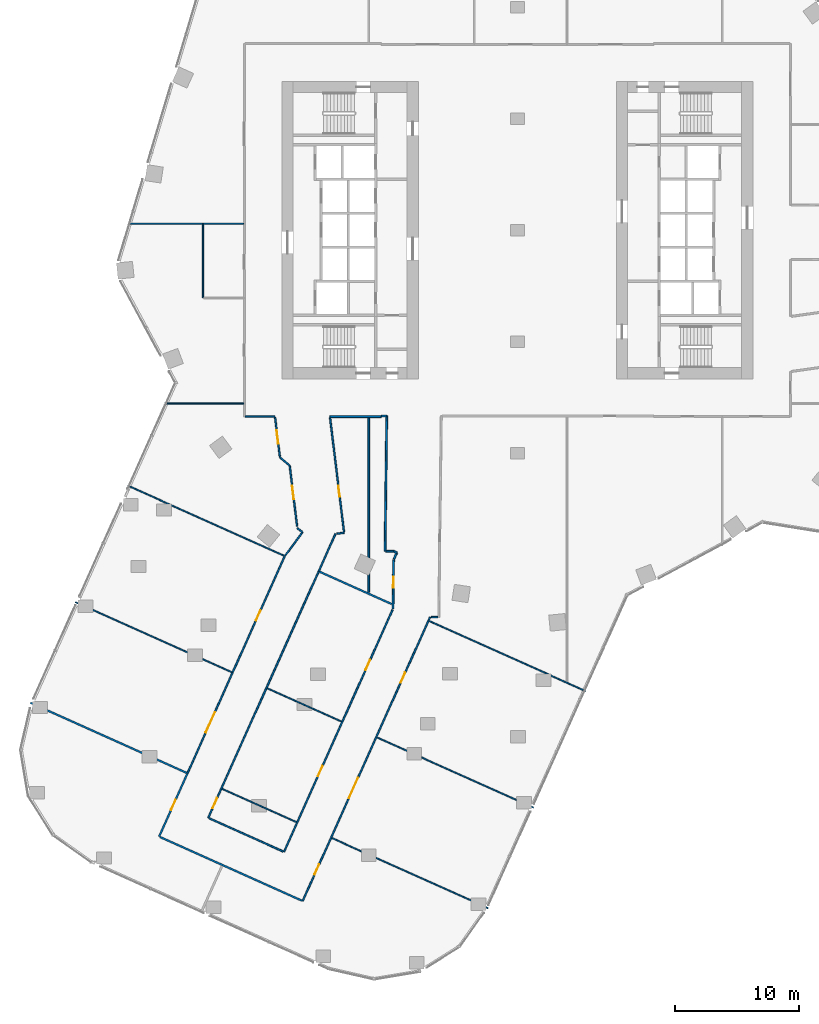
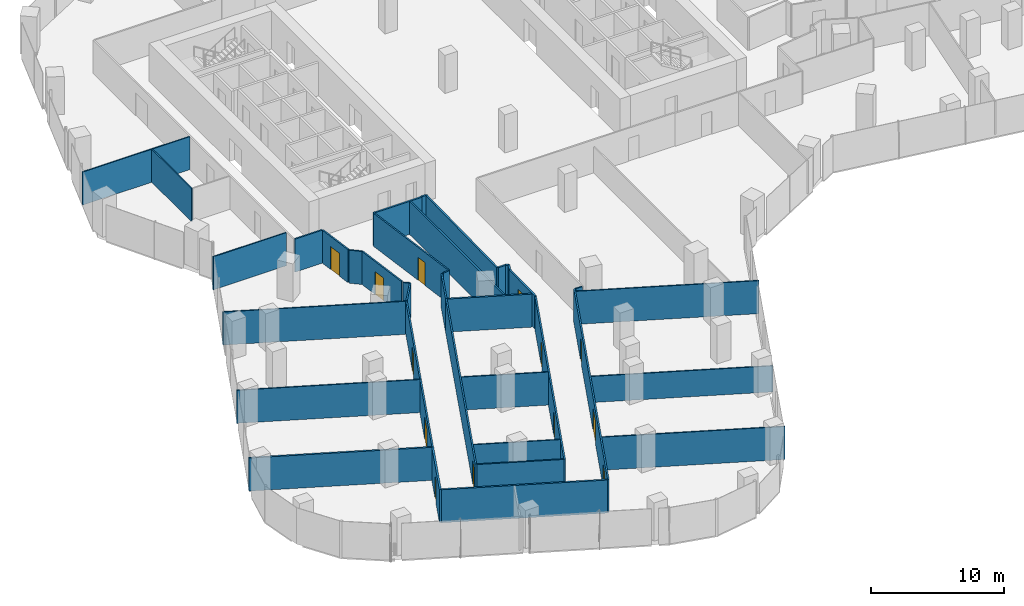
# One storey, part 25 of 34: 38 walls, 13 doors, 13 openings.
"""IFC4 building model written with IfcOpenShell, lengths in metres."""

from ifc_helpers import new_model, si_unit, direction, frame, frame_2d, origin, place, context, subcontext, project, spatial, rectangle, extrude, material, layer, layer_set, type_object, element, fill, save


model = new_model("IFC4")

# Units and contexts
model_context = context("Model", 3, precision=1e-05, world=origin(), true_north=direction((0.0, 1.0)))
body_context = subcontext(model_context, "Body", "Model", "MODEL_VIEW")
ifc_project = project(units=[si_unit("LENGTHUNIT", "METRE"), si_unit("AREAUNIT", "SQUARE_METRE"), si_unit("VOLUMEUNIT", "CUBIC_METRE"), si_unit("PLANEANGLEUNIT", "RADIAN"), si_unit("MASSUNIT", "GRAM", prefix="KILO")], contexts=[model_context])

# Site, building, storey
site_placement = place(None, origin())
site = spatial("IfcSite", under=ifc_project, at=site_placement, CompositionType="ELEMENT")
building_placement = place(site_placement, origin())
building = spatial("IfcBuilding", under=site, at=building_placement, Name="Orlundy Tower", CompositionType="ELEMENT")
storey_placement = place(building_placement, frame((0.0, 0.0, 137.699951171875)))
storey = spatial("IfcBuildingStorey", under=building, at=storey_placement, Name="L35", CompositionType="ELEMENT", Elevation=137.699951171875)

# Walls
ifc_material_1 = material(Name="Gypsum board partition")
ifc_layer_1 = layer(ifc_material_1, 0.10009765625)
ifc_layer_set_1 = layer_set([ifc_layer_1], Name="Floor partition 100")
wall_type_1 = type_object("IfcWallType", Name="Floor partition 100", PredefinedType="PARTITIONING", material=ifc_layer_set_1)
wall_1_placement = place(storey_placement, frame((-23.840087890625, -45.092041015625, 0.0), z_axis=(0.0, 0.0, 1.0), x_axis=(0.912407050909, -0.409283976539, 0.0)))
element("IfcWall", 1, at=wall_1_placement, inside=storey, type_object=wall_type_1, Name="wall-int-L35-014", PredefinedType="PARTITIONING", context=body_context, shape_type="SweptSolid", body=[
    extrude(rectangle(XDim=6.5771484375, YDim=0.10009765625, at=frame_2d((3.28857421875, 0.0))), origin(), (0.0, 0.0, 1.0), 3.030029296875),
])
wall_2_placement = place(storey_placement, frame((-14.987060546875, -49.06494140625, 0.0), z_axis=(0.0, 0.0, 1.0), x_axis=(0.912373916734, -0.409357833763, 0.0)))
element("IfcWall", 2, at=wall_2_placement, inside=storey, type_object=wall_type_1, Name="wall-int-L35-015", PredefinedType="PARTITIONING", context=body_context, shape_type="SweptSolid", body=[
    extrude(rectangle(XDim=13.83642578125, YDim=0.10009765625, at=frame_2d((6.918212890625, 0.0))), origin(), (0.0, 0.0, 1.0), 3.030029296875),
])
wall_3_placement = place(storey_placement, frame((-35.669921875, -30.029052734375, 0.0), z_axis=(0.0, 0.0, 1.0), x_axis=(0.912388382828, -0.409325590307, 0.0)))
element("IfcWall", 3, at=wall_3_placement, inside=storey, type_object=wall_type_1, Name="wall-int-L35-016", PredefinedType="PARTITIONING", context=body_context, shape_type="SweptSolid", body=[
    extrude(rectangle(XDim=13.827392578125, YDim=0.10009765625, at=frame_2d((6.91357421875, 0.0))), origin(), (0.0, 0.0, 1.0), 3.030029296875),
])
wall_4_placement = place(storey_placement, frame((-20.201904296875, -36.969970703125, 0.0), z_axis=(0.0, 0.0, 1.0), x_axis=(0.912431503612, -0.409229460346, 0.0)))
element("IfcWall", 4, at=wall_4_placement, inside=storey, type_object=wall_type_1, Name="wall-int-L35-017", PredefinedType="PARTITIONING", context=body_context, shape_type="SweptSolid", body=[
    extrude(rectangle(XDim=6.583251953125, YDim=0.10009765625, at=frame_2d((3.29150390625, 0.0))), origin(), (0.0, 0.0, 1.0), 3.030029296875),
])
wall_5_placement = place(storey_placement, frame((-31.449951171875, -20.625, 0.0), z_axis=(0.0, 0.0, 1.0), x_axis=(0.91235405171, -0.409402105916, 0.0)))
element("IfcWall", 5, at=wall_5_placement, inside=storey, type_object=wall_type_1, Name="wall-int-L35-019", PredefinedType="PARTITIONING", context=body_context, shape_type="SweptSolid", body=[
    extrude(rectangle(XDim=13.80810546875, YDim=0.10009765625, at=frame_2d((6.904052734375, 0.0))), origin(), (0.0, 0.0, 1.0), 3.030029296875),
])
wall_6_placement = place(storey_placement, frame((-7.1240234375, -31.541015625, 0.0), z_axis=(0.0, 0.0, 1.0), x_axis=(0.91234755526, -0.409416582971, 0.0)))
element("IfcWall", 6, at=wall_6_placement, inside=storey, type_object=wall_type_1, Name="wall-int-L35-021", PredefinedType="PARTITIONING", context=body_context, shape_type="SweptSolid", body=[
    extrude(rectangle(XDim=13.8369140625, YDim=0.10009765625, at=frame_2d((6.91845703125, 0.0))), origin(), (0.0, 0.0, 1.0), 3.030029296875),
])
wall_7_placement = place(storey_placement, frame((-28.47705078125, -14.0, 0.0), z_axis=(0.0, 0.0, 1.0), x_axis=(1.0, 0.0, 0.0)))
element("IfcWall", 7, at=wall_7_placement, inside=storey, type_object=wall_type_1, Name="wall-int-L35-035", PredefinedType="PARTITIONING", context=body_context, shape_type="SweptSolid", body=[
    extrude(rectangle(XDim=6.364013671875, YDim=0.10009765625, at=frame_2d((3.18212890625, 0.0))), origin(), (0.0, 0.0, 1.0), 3.030029296875),
])
wall_8_placement = place(storey_placement, frame((-31.419921875, 0.52392578125, 0.0), z_axis=(0.0, 0.0, 1.0), x_axis=(1.0, 0.0, 0.0)))
element("IfcWall", 8, at=wall_8_placement, inside=storey, type_object=wall_type_1, Name="wall-int-L35-038", PredefinedType="PARTITIONING", context=body_context, shape_type="SweptSolid", body=[
    extrude(rectangle(XDim=9.306884765625, YDim=0.10009765625, at=frame_2d((4.6533203125, 0.0))), origin(), (0.0, 0.0, 1.0), 3.030029296875),
])
wall_9_placement = place(storey_placement, frame((-25.382080078125, -5.47509765625, 0.0), z_axis=(0.0, 0.0, 1.0), x_axis=(0.0, 1.0, 0.0)))
element("IfcWall", 9, at=wall_9_placement, inside=storey, type_object=wall_type_1, Name="wall-int-L35-087", PredefinedType="PARTITIONING", context=body_context, shape_type="SweptSolid", body=[
    extrude(rectangle(XDim=5.94921875, YDim=0.10009765625, at=frame_2d((2.974609375, 0.0))), origin(), (0.0, 0.0, 1.0), 3.030029296875),
])
ifc_material_2 = material(Name="Gypsum board partition")
ifc_layer_2 = layer(ifc_material_2, 0.10009765625)
ifc_layer_set_2 = layer_set([ifc_layer_2], Name="Floor partition 100 B")
wall_type_2 = type_object("IfcWallType", Name="Floor partition 100 B", PredefinedType="PARTITIONING", material=ifc_layer_set_2)
wall_10_placement = place(storey_placement, frame((-11.343994140625, -40.945068359375, 0.0), z_axis=(0.0, 0.0, 1.0), x_axis=(0.912392332027, -0.409316787413, 0.0)))
element("IfcWall", 10, at=wall_10_placement, inside=storey, type_object=wall_type_2, Name="wall-int-L35-018", PredefinedType="PARTITIONING", context=body_context, shape_type="SweptSolid", body=[
    extrude(rectangle(XDim=13.837158203125, YDim=0.10009765625, at=frame_2d((6.91845703125, 0.0))), origin(), (0.0, 0.0, 1.0), 2.39501953125),
])

# Wall, opening, door
ifc_material_3 = material(Name="Gypsum board partition, double layer")
ifc_layer_3 = layer(ifc_material_3, 0.125)
ifc_layer_set_3 = layer_set([ifc_layer_3], Name="Floor partition 125")
wall_type_3 = type_object("IfcWallType", Name="Floor partition 125", PredefinedType="PARTITIONING", material=ifc_layer_set_3)
wall_11_placement = place(storey_placement, frame((-19.179931640625, -18.27197265625, 0.0), z_axis=(0.0, 0.0, 1.0), x_axis=(-0.120984312483, 0.992654419289, 0.0)))
wall_11 = element("IfcWall", 11, at=wall_11_placement, inside=storey, type_object=wall_type_3, Name="wall-int-L35-003", PredefinedType="PARTITIONING", context=body_context, shape_type="SweptSolid", body=[
    extrude(rectangle(XDim=3.182373046875, YDim=0.125, at=frame_2d((1.59130859375, 0.0))), origin(), (0.0, 0.0, 1.0), 3.030029296875),
])
opening_1_placement = place(wall_11_placement, frame((1.03759765625, 0.0, 0.0)))
opening_1 = element("IfcOpeningElement", 12, at=opening_1_placement, cuts=wall_11, Name="Opening 26118", PredefinedType="OPENING", context=body_context, shape_type="SweptSolid", body=[
    extrude(rectangle(XDim=1.10009765625, YDim=2.10009765625, at=frame_2d((0.550048828125, 1.050048828125))), frame((0.0, 0.072509765625, 0.0), z_axis=(0.0, -1.0, 0.0), x_axis=(1.0, 0.0, 0.0)), (0.0, 0.0, 1.0), 0.14501953125),
])
ifc_material_4 = material(Name="Timber door leaf", Category="wood")
door_type_1 = type_object("IfcDoorType", Name="Floor door xwide 1100 FD30S", OperationType="NOTDEFINED", PredefinedType="DOOR", material=ifc_material_4)
door_1_placement = place(opening_1_placement, origin())
door_1 = element("IfcDoor", 13, at=door_1_placement, inside=storey, type_object=door_type_1, Name="Door 26118", OperationType="SINGLE_SWING_LEFT", OverallHeight=2.10009765625, OverallWidth=1.10009765625, PredefinedType="DOOR", context=body_context, shape_type="SweptSolid", body=[
    extrude(rectangle(XDim=1.10009765625, YDim=2.10009765625, at=frame_2d((0.550048828125, 1.050048828125))), frame((0.0, 0.02490234375, 0.0), z_axis=(0.0, -1.0, 0.0), x_axis=(1.0, 0.0, 0.0)), (0.0, 0.0, 1.0), 0.050048828125),
])
fill(opening_1, door_1)

wall_12_placement = place(storey_placement, frame((-17.7880859375, -23.89111328125, 0.0), z_axis=(0.0, 0.0, 1.0), x_axis=(-0.121262962016, 0.992620417906, 0.0)))
wall_12 = element("IfcWall", 14, at=wall_12_placement, inside=storey, type_object=wall_type_3, Name="wall-int-L35-004", PredefinedType="PARTITIONING", context=body_context, shape_type="SweptSolid", body=[
    extrude(rectangle(XDim=4.922607421875, YDim=0.125, at=frame_2d((2.46142578125, 0.0))), origin(), (0.0, 0.0, 1.0), 3.030029296875),
])
opening_2_placement = place(wall_12_placement, frame((2.194580078125, 0.0, 0.0)))
opening_2 = element("IfcOpeningElement", 15, at=opening_2_placement, cuts=wall_12, Name="Opening 26119", PredefinedType="OPENING", context=body_context, shape_type="SweptSolid", body=[
    extrude(rectangle(XDim=1.10009765625, YDim=2.10009765625, at=frame_2d((0.550048828125, 1.050048828125))), frame((0.0, 0.072509765625, 0.0), z_axis=(0.0, -1.0, 0.0), x_axis=(1.0, 0.0, 0.0)), (0.0, 0.0, 1.0), 0.14501953125),
])
door_2_placement = place(opening_2_placement, origin())
door_2 = element("IfcDoor", 16, at=door_2_placement, inside=storey, type_object=door_type_1, Name="Door 26119", OperationType="SINGLE_SWING_RIGHT", OverallHeight=2.10009765625, OverallWidth=1.10009765625, PredefinedType="DOOR", context=body_context, shape_type="SweptSolid", body=[
    extrude(rectangle(XDim=1.10009765625, YDim=2.10009765625, at=frame_2d((0.550048828125, 1.050048828125))), frame((0.0, 0.02490234375, 0.0), z_axis=(0.0, -1.0, 0.0), x_axis=(1.0, 0.0, 0.0)), (0.0, 0.0, 1.0), 0.050048828125),
])
fill(opening_2, door_2)

wall_13_placement = place(storey_placement, frame((-15.1298828125, -15.125, 0.0), z_axis=(0.0, 0.0, 1.0), x_axis=(0.121299614281, -0.992615939614, 0.0)))
wall_13 = element("IfcWall", 17, at=wall_13_placement, inside=storey, type_object=wall_type_3, Name="wall-int-L35-005", PredefinedType="PARTITIONING", context=body_context, shape_type="SweptSolid", body=[
    extrude(rectangle(XDim=9.306640625, YDim=0.125, at=frame_2d((4.6533203125, 0.0))), origin(), (0.0, 0.0, 1.0), 3.030029296875),
])
opening_3_placement = place(wall_13_placement, frame((5.54443359375, 0.0, 0.0)))
opening_3 = element("IfcOpeningElement", 18, at=opening_3_placement, cuts=wall_13, Name="Opening 26120", PredefinedType="OPENING", context=body_context, shape_type="SweptSolid", body=[
    extrude(rectangle(XDim=0.89990234375, YDim=2.10009765625, at=frame_2d((0.449951171875, 1.050048828125))), frame((0.0, 0.072509765625, 0.0), z_axis=(0.0, -1.0, 0.0), x_axis=(1.0, 0.0, 0.0)), (0.0, 0.0, 1.0), 0.14501953125),
])
ifc_material_5 = material(Name="Timber door leaf", Category="wood")
door_type_2 = type_object("IfcDoorType", Name="Floor door single 900 FD30S", OperationType="NOTDEFINED", PredefinedType="DOOR", material=ifc_material_5)
door_3_placement = place(opening_3_placement, origin())
door_3 = element("IfcDoor", 19, at=door_3_placement, inside=storey, type_object=door_type_2, Name="Door 26120", OperationType="SINGLE_SWING_RIGHT", OverallHeight=2.10009765625, OverallWidth=0.89990234375, PredefinedType="DOOR", context=body_context, shape_type="SweptSolid", body=[
    extrude(rectangle(XDim=0.89990234375, YDim=2.10009765625, at=frame_2d((0.449951171875, 1.050048828125))), frame((0.0, 0.02490234375, 0.0), z_axis=(0.0, -1.0, 0.0), x_axis=(1.0, 0.0, 0.0)), (0.0, 0.0, 1.0), 0.050048828125),
])
fill(opening_3, door_3)

# Walls
wall_14_placement = place(storey_placement, frame((-17.77197265625, -24.052001953125, 0.0), z_axis=(0.0, 0.0, 1.0), x_axis=(0.774946890669, -0.632026357554, 0.0)))
element("IfcWall", 20, at=wall_14_placement, inside=storey, type_object=wall_type_3, Name="wall-int-L35-008", PredefinedType="PARTITIONING", context=body_context, shape_type="SweptSolid", body=[
    extrude(rectangle(XDim=0.5380859375, YDim=0.125, at=frame_2d((0.26904296875, 0.0))), origin(), (0.0, 0.0, 1.0), 3.030029296875),
])
wall_15_placement = place(storey_placement, frame((-24.903076171875, -47.465087890625, 0.0), z_axis=(0.0, 0.0, 1.0), x_axis=(0.912437629311, -0.409215802013, 0.0)))
element("IfcWall", 21, at=wall_15_placement, inside=storey, type_object=wall_type_3, Name="wall-int-L35-012", PredefinedType="PARTITIONING", context=body_context, shape_type="SweptSolid", body=[
    extrude(rectangle(XDim=6.57568359375, YDim=0.125, at=frame_2d((3.287841796875, 0.0))), origin(), (0.0, 0.0, 1.0), 3.030029296875),
])
wall_16_placement = place(storey_placement, frame((-6.958984375, -31.23291015625, 0.0), z_axis=(0.0, 0.0, 1.0), x_axis=(0.999914995669, -0.013038459926, 0.0)))
element("IfcWall", 22, at=wall_16_placement, inside=storey, type_object=wall_type_3, Name="wall-int-L35-029", PredefinedType="PARTITIONING", context=body_context, shape_type="SweptSolid", body=[
    extrude(rectangle(XDim=0.54296875, YDim=0.125, at=frame_2d((0.271484375, 0.0))), origin(), (0.0, 0.0, 1.0), 3.030029296875),
])
wall_17_placement = place(storey_placement, frame((-21.988037109375, -15.051025390625, 0.0), z_axis=(0.0, 0.0, 1.0), x_axis=(1.0, 0.0, 0.0)))
element("IfcWall", 23, at=wall_17_placement, inside=storey, type_object=wall_type_3, Name="wall-int-L35-031", PredefinedType="PARTITIONING", context=body_context, shape_type="SweptSolid", body=[
    extrude(rectangle(XDim=2.4150390625, YDim=0.125, at=frame_2d((1.20751953125, 0.0))), origin(), (0.0, 0.0, 1.0), 3.030029296875),
])
wall_18_placement = place(storey_placement, frame((-14.5791015625, -24.4970703125, 0.0), z_axis=(0.0, 0.0, 1.0), x_axis=(0.992511783221, 0.122148926179, 0.0)))
element("IfcWall", 24, at=wall_18_placement, inside=storey, type_object=wall_type_3, Name="wall-int-L35-047", PredefinedType="PARTITIONING", context=body_context, shape_type="SweptSolid", body=[
    extrude(rectangle(XDim=0.589599609375, YDim=0.125, at=frame_2d((0.294921875, 0.0))), origin(), (0.0, 0.0, 1.0), 3.030029296875),
])
wall_19_placement = place(storey_placement, frame((-19.1708984375, -18.333984375, 0.0), z_axis=(0.0, 0.0, 1.0), x_axis=(0.760555965164, -0.649272380326, 0.0)))
element("IfcWall", 25, at=wall_19_placement, inside=storey, type_object=wall_type_3, Name="wall-int-L35-048", PredefinedType="PARTITIONING", context=body_context, shape_type="SweptSolid", body=[
    extrude(rectangle(XDim=1.033203125, YDim=0.125, at=frame_2d((0.5166015625, 0.0))), origin(), (0.0, 0.0, 1.0), 3.030029296875),
])
wall_20_placement = place(storey_placement, frame((-17.35498046875, -24.39208984375, 0.0), z_axis=(0.0, 0.0, 1.0), x_axis=(-0.597497187646, -0.801871006306, 0.0)))
element("IfcWall", 26, at=wall_20_placement, inside=storey, type_object=wall_type_3, Name="wall-int-L35-051", PredefinedType="PARTITIONING", context=body_context, shape_type="SweptSolid", body=[
    extrude(rectangle(XDim=2.328125, YDim=0.125, at=frame_2d((1.1640625, 0.0))), origin(), (0.0, 0.0, 1.0), 3.030029296875),
])

# Wall, openings, doors
wall_21_placement = place(storey_placement, frame((-7.052001953125, -31.23291015625, 0.0), z_axis=(0.0, 0.0, 1.0), x_axis=(-0.409475332718, -0.912321188998, 0.0)))
wall_21 = element("IfcWall", 27, at=wall_21_placement, inside=storey, type_object=wall_type_3, Name="wall-int-L35-054", PredefinedType="PARTITIONING", context=body_context, shape_type="SweptSolid", body=[
    extrude(rectangle(XDim=25.1171875, YDim=0.125, at=frame_2d((12.55859375, 0.0))), origin(), (0.0, 0.0, 1.0), 3.030029296875),
])
opening_4_placement = place(wall_21_placement, frame((4.909912109375, 0.0, 0.0)))
opening_4 = element("IfcOpeningElement", 28, at=opening_4_placement, cuts=wall_21, Name="Opening 26108", PredefinedType="OPENING", context=body_context, shape_type="SweptSolid", body=[
    extrude(rectangle(XDim=0.89990234375, YDim=2.10009765625, at=frame_2d((0.449951171875, 1.050048828125))), frame((0.0, 0.072509765625, 0.0), z_axis=(0.0, -1.0, 0.0), x_axis=(1.0, 0.0, 0.0)), (0.0, 0.0, 1.0), 0.14501953125),
])
opening_5_placement = place(wall_21_placement, frame((14.21728515625, 0.0, 0.0)))
opening_5 = element("IfcOpeningElement", 29, at=opening_5_placement, cuts=wall_21, Name="Opening 26109", PredefinedType="OPENING", context=body_context, shape_type="SweptSolid", body=[
    extrude(rectangle(XDim=1.800048828125, YDim=2.10009765625, at=frame_2d((0.89990234375, 1.050048828125))), frame((0.0, 0.072509765625, 0.0), z_axis=(0.0, -1.0, 0.0), x_axis=(1.0, 0.0, 0.0)), (0.0, 0.0, 1.0), 0.14501953125),
])
opening_6_placement = place(wall_21_placement, frame((21.8671875, 0.0, 0.0)))
opening_6 = element("IfcOpeningElement", 30, at=opening_6_placement, cuts=wall_21, Name="Opening 26114", PredefinedType="OPENING", context=body_context, shape_type="SweptSolid", body=[
    extrude(rectangle(XDim=0.89990234375, YDim=2.10009765625, at=frame_2d((0.449951171875, 1.050048828125))), frame((0.0, 0.072509765625, 0.0), z_axis=(0.0, -1.0, 0.0), x_axis=(1.0, 0.0, 0.0)), (0.0, 0.0, 1.0), 0.14501953125),
])
ifc_material_6 = material(Name="Timber door leaf", Category="wood")
door_type_3 = type_object("IfcDoorType", Name="Floor door double 1800 FD30S", OperationType="NOTDEFINED", PredefinedType="DOOR", material=ifc_material_6)
door_4_placement = place(opening_5_placement, origin())
door_4 = element("IfcDoor", 31, at=door_4_placement, inside=storey, type_object=door_type_3, Name="Door 26109", OperationType="DOUBLE_DOOR_SINGLE_SWING", OverallHeight=2.10009765625, OverallWidth=1.800048828125, PredefinedType="DOOR", context=body_context, shape_type="SweptSolid", body=[
    extrude(rectangle(XDim=1.800048828125, YDim=2.10009765625, at=frame_2d((0.89990234375, 1.050048828125))), frame((0.0, 0.02490234375, 0.0), z_axis=(0.0, -1.0, 0.0), x_axis=(1.0, 0.0, 0.0)), (0.0, 0.0, 1.0), 0.050048828125),
])
fill(opening_5, door_4)
door_5_placement = place(opening_4_placement, origin())
door_5 = element("IfcDoor", 32, at=door_5_placement, inside=storey, type_object=door_type_2, Name="Door 26108", OperationType="SINGLE_SWING_LEFT", OverallHeight=2.10009765625, OverallWidth=0.89990234375, PredefinedType="DOOR", context=body_context, shape_type="SweptSolid", body=[
    extrude(rectangle(XDim=0.89990234375, YDim=2.10009765625, at=frame_2d((0.449951171875, 1.050048828125))), frame((0.0, 0.02490234375, 0.0), z_axis=(0.0, -1.0, 0.0), x_axis=(1.0, 0.0, 0.0)), (0.0, 0.0, 1.0), 0.050048828125),
])
fill(opening_4, door_5)
door_6_placement = place(opening_6_placement, origin())
door_6 = element("IfcDoor", 33, at=door_6_placement, inside=storey, type_object=door_type_2, Name="Door 26114", OperationType="SINGLE_SWING_RIGHT", OverallHeight=2.10009765625, OverallWidth=0.89990234375, PredefinedType="DOOR", context=body_context, shape_type="SweptSolid", body=[
    extrude(rectangle(XDim=0.89990234375, YDim=2.10009765625, at=frame_2d((0.449951171875, 1.050048828125))), frame((0.0, 0.02490234375, 0.0), z_axis=(0.0, -1.0, 0.0), x_axis=(1.0, 0.0, 0.0)), (0.0, 0.0, 1.0), 0.050048828125),
])
fill(opening_6, door_6)

wall_22_placement = place(storey_placement, frame((-18.845947265625, -50.181884765625, 0.0), z_axis=(0.0, 0.0, 1.0), x_axis=(0.409280065355, 0.912408805363, 0.0)))
wall_22 = element("IfcWall", 34, at=wall_22_placement, inside=storey, type_object=wall_type_3, Name="wall-int-L35-055", PredefinedType="PARTITIONING", context=body_context, shape_type="SweptSolid", body=[
    extrude(rectangle(XDim=21.420166015625, YDim=0.125, at=frame_2d((10.7099609375, 0.0))), origin(), (0.0, 0.0, 1.0), 3.030029296875),
])
opening_7_placement = place(wall_22_placement, frame((16.099853515625, 0.0, 0.0)))
opening_7 = element("IfcOpeningElement", 35, at=opening_7_placement, cuts=wall_22, Name="Opening 26110", PredefinedType="OPENING", context=body_context, shape_type="SweptSolid", body=[
    extrude(rectangle(XDim=0.89990234375, YDim=2.10009765625, at=frame_2d((0.449951171875, 1.050048828125))), frame((0.0, 0.072509765625, 0.0), z_axis=(0.0, -1.0, 0.0), x_axis=(1.0, 0.0, 0.0)), (0.0, 0.0, 1.0), 0.14501953125),
])
opening_8_placement = place(wall_22_placement, frame((6.69970703125, 0.0, 0.0)))
opening_8 = element("IfcOpeningElement", 36, at=opening_8_placement, cuts=wall_22, Name="Opening 26111", PredefinedType="OPENING", context=body_context, shape_type="SweptSolid", body=[
    extrude(rectangle(XDim=0.89990234375, YDim=2.10009765625, at=frame_2d((0.449951171875, 1.050048828125))), frame((0.0, 0.072509765625, 0.0), z_axis=(0.0, -1.0, 0.0), x_axis=(1.0, 0.0, 0.0)), (0.0, 0.0, 1.0), 0.14501953125),
])
door_7_placement = place(opening_7_placement, origin())
door_7 = element("IfcDoor", 37, at=door_7_placement, inside=storey, type_object=door_type_2, Name="Door 26110", OperationType="SINGLE_SWING_RIGHT", OverallHeight=2.10009765625, OverallWidth=0.89990234375, PredefinedType="DOOR", context=body_context, shape_type="SweptSolid", body=[
    extrude(rectangle(XDim=0.89990234375, YDim=2.10009765625, at=frame_2d((0.449951171875, 1.050048828125))), frame((0.0, 0.02490234375, 0.0), z_axis=(0.0, -1.0, 0.0), x_axis=(1.0, 0.0, 0.0)), (0.0, 0.0, 1.0), 0.050048828125),
])
fill(opening_7, door_7)
door_8_placement = place(opening_8_placement, origin())
door_8 = element("IfcDoor", 38, at=door_8_placement, inside=storey, type_object=door_type_2, Name="Door 26111", OperationType="SINGLE_SWING_LEFT", OverallHeight=2.10009765625, OverallWidth=0.89990234375, PredefinedType="DOOR", context=body_context, shape_type="SweptSolid", body=[
    extrude(rectangle(XDim=0.89990234375, YDim=2.10009765625, at=frame_2d((0.449951171875, 1.050048828125))), frame((0.0, 0.02490234375, 0.0), z_axis=(0.0, -1.0, 0.0), x_axis=(1.0, 0.0, 0.0)), (0.0, 0.0, 1.0), 0.050048828125),
])
fill(opening_8, door_8)

# Wall, opening, door
wall_23_placement = place(storey_placement, frame((-16.044921875, -27.5380859375, 0.0), z_axis=(0.0, 0.0, 1.0), x_axis=(-0.408825080593, -0.912612762062, 0.0)))
wall_23 = element("IfcWall", 39, at=wall_23_placement, inside=storey, type_object=wall_type_3, Name="wall-int-L35-057", PredefinedType="PARTITIONING", context=body_context, shape_type="SweptSolid", body=[
    extrude(rectangle(XDim=21.806396484375, YDim=0.125, at=frame_2d((10.9033203125, 0.0))), origin(), (0.0, 0.0, 1.0), 3.030029296875),
])
opening_9_placement = place(wall_23_placement, frame((20.05615234375, 0.0, 0.0)))
opening_9 = element("IfcOpeningElement", 40, at=opening_9_placement, cuts=wall_23, Name="Opening 26112", PredefinedType="OPENING", context=body_context, shape_type="SweptSolid", body=[
    extrude(rectangle(XDim=0.89990234375, YDim=2.10009765625, at=frame_2d((0.449951171875, 1.050048828125))), frame((0.0, 0.072509765625, 0.0), z_axis=(0.0, -1.0, 0.0), x_axis=(1.0, 0.0, 0.0)), (0.0, 0.0, 1.0), 0.14501953125),
])
door_9_placement = place(opening_9_placement, origin())
door_9 = element("IfcDoor", 41, at=door_9_placement, inside=storey, type_object=door_type_2, Name="Door 26112", OperationType="SINGLE_SWING_RIGHT", OverallHeight=2.10009765625, OverallWidth=0.89990234375, PredefinedType="DOOR", context=body_context, shape_type="SweptSolid", body=[
    extrude(rectangle(XDim=0.89990234375, YDim=2.10009765625, at=frame_2d((0.449951171875, 1.050048828125))), frame((0.0, 0.02490234375, 0.0), z_axis=(0.0, -1.0, 0.0), x_axis=(1.0, 0.0, 0.0)), (0.0, 0.0, 1.0), 0.050048828125),
])
fill(opening_9, door_9)

# Wall
wall_24_placement = place(storey_placement, frame((-16.044921875, -27.5380859375, 0.0), z_axis=(0.0, 0.0, 1.0), x_axis=(0.408690351199, 0.912673105135, 0.0)))
element("IfcWall", 42, at=wall_24_placement, inside=storey, type_object=wall_type_3, Name="wall-int-L35-058", PredefinedType="PARTITIONING", context=body_context, shape_type="SweptSolid", body=[
    extrude(rectangle(XDim=3.31787109375, YDim=0.125, at=frame_2d((1.658935546875, 0.0))), origin(), (0.0, 0.0, 1.0), 3.030029296875),
])

# Wall, opening, door
wall_25_placement = place(storey_placement, frame((-22.9970703125, -35.715087890625, 0.0), z_axis=(0.0, 0.0, 1.0), x_axis=(0.408864099405, 0.91259528172, 0.0)))
wall_25 = element("IfcWall", 43, at=wall_25_placement, inside=storey, type_object=wall_type_3, Name="wall-int-L35-060", PredefinedType="PARTITIONING", context=body_context, shape_type="SweptSolid", body=[
    extrude(rectangle(XDim=10.306884765625, YDim=0.125, at=frame_2d((5.1533203125, 0.0))), origin(), (0.0, 0.0, 1.0), 3.030029296875),
])
opening_10_placement = place(wall_25_placement, frame((4.60009765625, 0.0, 0.0)))
opening_10 = element("IfcOpeningElement", 44, at=opening_10_placement, cuts=wall_25, Name="Opening 26115", PredefinedType="OPENING", context=body_context, shape_type="SweptSolid", body=[
    extrude(rectangle(XDim=0.89990234375, YDim=2.10009765625, at=frame_2d((0.449951171875, 1.050048828125))), frame((0.0, 0.072509765625, 0.0), z_axis=(0.0, -1.0, 0.0), x_axis=(1.0, 0.0, 0.0)), (0.0, 0.0, 1.0), 0.14501953125),
])
door_10_placement = place(opening_10_placement, origin())
door_10 = element("IfcDoor", 45, at=door_10_placement, inside=storey, type_object=door_type_2, Name="Door 26115", OperationType="SINGLE_SWING_LEFT", OverallHeight=2.10009765625, OverallWidth=0.89990234375, PredefinedType="DOOR", context=body_context, shape_type="SweptSolid", body=[
    extrude(rectangle(XDim=0.89990234375, YDim=2.10009765625, at=frame_2d((0.449951171875, 1.050048828125))), frame((0.0, 0.02490234375, 0.0), z_axis=(0.0, -1.0, 0.0), x_axis=(1.0, 0.0, 0.0)), (0.0, 0.0, 1.0), 0.050048828125),
])
fill(opening_10, door_10)

wall_26_placement = place(storey_placement, frame((-26.635009765625, -43.837890625, 0.0), z_axis=(0.0, 0.0, 1.0), x_axis=(0.40874555993, 0.912648380943, 0.0)))
wall_26 = element("IfcWall", 46, at=wall_26_placement, inside=storey, type_object=wall_type_3, Name="wall-int-L35-061", PredefinedType="PARTITIONING", context=body_context, shape_type="SweptSolid", body=[
    extrude(rectangle(XDim=8.900146484375, YDim=0.125, at=frame_2d((4.4501953125, 0.0))), origin(), (0.0, 0.0, 1.0), 3.030029296875),
])
opening_11_placement = place(wall_26_placement, frame((3.60009765625, 0.0, 0.0)))
opening_11 = element("IfcOpeningElement", 47, at=opening_11_placement, cuts=wall_26, Name="Opening 26116", PredefinedType="OPENING", context=body_context, shape_type="SweptSolid", body=[
    extrude(rectangle(XDim=1.800048828125, YDim=2.10009765625, at=frame_2d((0.89990234375, 1.050048828125))), frame((0.0, 0.072509765625, 0.0), z_axis=(0.0, -1.0, 0.0), x_axis=(1.0, 0.0, 0.0)), (0.0, 0.0, 1.0), 0.14501953125),
])
door_11_placement = place(opening_11_placement, origin())
door_11 = element("IfcDoor", 48, at=door_11_placement, inside=storey, type_object=door_type_3, Name="Door 26116", OperationType="DOUBLE_DOOR_SINGLE_SWING", OverallHeight=2.10009765625, OverallWidth=1.800048828125, PredefinedType="DOOR", context=body_context, shape_type="SweptSolid", body=[
    extrude(rectangle(XDim=1.800048828125, YDim=2.10009765625, at=frame_2d((0.89990234375, 1.050048828125))), frame((0.0, 0.02490234375, 0.0), z_axis=(0.0, -1.0, 0.0), x_axis=(1.0, 0.0, 0.0)), (0.0, 0.0, 1.0), 0.050048828125),
])
fill(opening_11, door_11)

# Walls
ifc_material_7 = material(Name="Blockwork shaft wall", Category="masonry")
ifc_layer_4 = layer(ifc_material_7, 0.14990234375)
ifc_layer_set_4 = layer_set([ifc_layer_4], Name="Floor shaft wall 150")
wall_type_4 = type_object("IfcWallType", Name="Floor shaft wall 150", PredefinedType="PARTITIONING", material=ifc_layer_set_4)
wall_27_placement = place(storey_placement, frame((-9.988037109375, -25.923095703125, 0.0), z_axis=(0.0, 0.0, 1.0), x_axis=(0.909848474823, -0.414940661858, 0.0)))
element("IfcWall", 49, at=wall_27_placement, inside=storey, type_object=wall_type_4, Name="wall-int-L35-009", PredefinedType="PARTITIONING", context=body_context, shape_type="SweptSolid", body=[
    extrude(rectangle(XDim=0.274658203125, YDim=0.14990234375, at=frame_2d((0.13720703125, 0.0))), origin(), (0.0, 0.0, 1.0), 3.030029296875),
])
wall_28_placement = place(storey_placement, frame((-17.40087890625, -54.12109375, 0.0), z_axis=(0.0, 0.0, 1.0), x_axis=(-0.912370625887, 0.409365168302, 0.0)))
element("IfcWall", 50, at=wall_28_placement, inside=storey, type_object=wall_type_4, Name="wall-int-L35-011", PredefinedType="PARTITIONING", context=body_context, shape_type="SweptSolid", body=[
    extrude(rectangle(XDim=12.556396484375, YDim=0.14990234375, at=frame_2d((6.2783203125, 0.0))), origin(), (0.0, 0.0, 1.0), 3.030029296875),
])
wall_29_placement = place(storey_placement, frame((-39.31298828125, -38.14892578125, 0.0), z_axis=(0.0, 0.0, 1.0), x_axis=(0.912370127325, -0.409366279467, 0.0)))
element("IfcWall", 51, at=wall_29_placement, inside=storey, type_object=wall_type_4, Name="wall-int-L35-013", PredefinedType="PARTITIONING", context=body_context, shape_type="SweptSolid", body=[
    extrude(rectangle(XDim=13.8212890625, YDim=0.14990234375, at=frame_2d((6.91064453125, 0.0))), origin(), (0.0, 0.0, 1.0), 3.030029296875),
])
wall_30_placement = place(storey_placement, frame((-15.988037109375, -27.56396484375, 0.0), z_axis=(0.0, 0.0, 1.0), x_axis=(0.912384094407, -0.409335149081, 0.0)))
element("IfcWall", 52, at=wall_30_placement, inside=storey, type_object=wall_type_4, Name="wall-int-L35-020", PredefinedType="PARTITIONING", context=body_context, shape_type="SweptSolid", body=[
    extrude(rectangle(XDim=6.40087890625, YDim=0.14990234375, at=frame_2d((3.200439453125, 0.0))), origin(), (0.0, 0.0, 1.0), 3.030029296875),
])
wall_31_placement = place(storey_placement, frame((-10.613037109375, -25.9150390625, 0.0), z_axis=(0.0, 0.0, 1.0), x_axis=(0.999916926247, -0.012889554127, 0.0)))
element("IfcWall", 53, at=wall_31_placement, inside=storey, type_object=wall_type_4, Name="wall-int-L35-030", PredefinedType="PARTITIONING", context=body_context, shape_type="SweptSolid", body=[
    extrude(rectangle(XDim=0.625, YDim=0.14990234375, at=frame_2d((0.3125, 0.0))), origin(), (0.0, 0.0, 1.0), 3.030029296875),
])
wall_32_placement = place(storey_placement, frame((-15.138916015625, -15.051025390625, 0.0), z_axis=(0.0, 0.0, 1.0), x_axis=(1.0, 0.0, 0.0)))
element("IfcWall", 54, at=wall_32_placement, inside=storey, type_object=wall_type_4, Name="wall-int-L35-032", PredefinedType="PARTITIONING", context=body_context, shape_type="SweptSolid", body=[
    extrude(rectangle(XDim=4.14794921875, YDim=0.14990234375, at=frame_2d((2.073974609375, 0.0))), origin(), (0.0, 0.0, 1.0), 3.030029296875),
])
wall_33_placement = place(storey_placement, frame((-10.989990234375, -15.0009765625, 0.0), z_axis=(0.0, 0.0, 1.0), x_axis=(0.99999751433, 0.002229648861, 0.0)))
element("IfcWall", 55, at=wall_33_placement, inside=storey, type_object=wall_type_4, Name="wall-int-L35-043", PredefinedType="PARTITIONING", context=body_context, shape_type="SweptSolid", body=[
    extrude(rectangle(XDim=0.43798828125, YDim=0.14990234375, at=frame_2d((0.218994140625, 0.0))), origin(), (0.0, 0.0, 1.0), 3.030029296875),
])
wall_34_placement = place(storey_placement, frame((-9.966064453125, -26.534912109375, 0.0), z_axis=(0.0, 0.0, 1.0), x_axis=(0.416455108449, 0.909156280651, 0.0)))
element("IfcWall", 56, at=wall_34_placement, inside=storey, type_object=wall_type_4, Name="wall-int-L35-052", PredefinedType="PARTITIONING", context=body_context, shape_type="SweptSolid", body=[
    extrude(rectangle(XDim=0.547607421875, YDim=0.14990234375, at=frame_2d((0.27392578125, 0.0))), origin(), (0.0, 0.0, 1.0), 3.030029296875),
])

# Wall, opening, door
wall_35_placement = place(storey_placement, frame((-28.925048828125, -48.948974609375, 0.0), z_axis=(0.0, 0.0, 1.0), x_axis=(0.408886926623, 0.912585054248, 0.0)))
wall_35 = element("IfcWall", 57, at=wall_35_placement, inside=storey, type_object=wall_type_4, Name="wall-int-L35-059", PredefinedType="PARTITIONING", context=body_context, shape_type="SweptSolid", body=[
    extrude(rectangle(XDim=5.6005859375, YDim=0.14990234375, at=frame_2d((2.80029296875, 0.0))), origin(), (0.0, 0.0, 1.0), 3.030029296875),
])
opening_12_placement = place(wall_35_placement, frame((2.35009765625, 0.0, 0.0)))
opening_12 = element("IfcOpeningElement", 58, at=opening_12_placement, cuts=wall_35, Name="Opening 26113", PredefinedType="OPENING", context=body_context, shape_type="SweptSolid", body=[
    extrude(rectangle(XDim=0.89990234375, YDim=2.10009765625, at=frame_2d((0.449951171875, 1.050048828125))), frame((0.0, 0.0849609375, 0.0), z_axis=(0.0, -1.0, 0.0), x_axis=(1.0, 0.0, 0.0)), (0.0, 0.0, 1.0), 0.169921875),
])
ifc_material_8 = material(Name="Timber door leaf", Category="wood")
door_type_4 = type_object("IfcDoorType", Name="Floor door single 900 FD60", OperationType="NOTDEFINED", PredefinedType="DOOR", material=ifc_material_8)
door_12_placement = place(opening_12_placement, origin())
door_12 = element("IfcDoor", 59, at=door_12_placement, inside=storey, type_object=door_type_4, Name="Door 26113", OperationType="SINGLE_SWING_LEFT", OverallHeight=2.10009765625, OverallWidth=0.89990234375, PredefinedType="DOOR", context=body_context, shape_type="SweptSolid", body=[
    extrude(rectangle(XDim=0.89990234375, YDim=2.10009765625, at=frame_2d((0.449951171875, 1.050048828125))), frame((0.0, 0.02490234375, 0.0), z_axis=(0.0, -1.0, 0.0), x_axis=(1.0, 0.0, 0.0)), (0.0, 0.0, 1.0), 0.050048828125),
])
fill(opening_12, door_12)

wall_36_placement = place(storey_placement, frame((-10.0458984375, -30.571044921875, 0.0), z_axis=(0.0, 0.0, 1.0), x_axis=(0.011833490909, 0.999929981795, 0.0)))
wall_36 = element("IfcWall", 60, at=wall_36_placement, inside=storey, type_object=wall_type_4, Name="wall-int-L35-074", PredefinedType="PARTITIONING", context=body_context, shape_type="SweptSolid", body=[
    extrude(rectangle(XDim=3.961181640625, YDim=0.14990234375, at=frame_2d((1.98046875, 0.0))), origin(), (0.0, 0.0, 1.0), 3.030029296875),
])
opening_13_placement = place(wall_36_placement, frame((1.68896484375, 0.0, 0.0)))
opening_13 = element("IfcOpeningElement", 61, at=opening_13_placement, cuts=wall_36, Name="Opening 26121", PredefinedType="OPENING", context=body_context, shape_type="SweptSolid", body=[
    extrude(rectangle(XDim=0.89990234375, YDim=2.10009765625, at=frame_2d((0.449951171875, 1.050048828125))), frame((0.0, 0.0849609375, 0.0), z_axis=(0.0, -1.0, 0.0), x_axis=(1.0, 0.0, 0.0)), (0.0, 0.0, 1.0), 0.169921875),
])
door_13_placement = place(opening_13_placement, origin())
door_13 = element("IfcDoor", 62, at=door_13_placement, inside=storey, type_object=door_type_4, Name="Door 26121", OperationType="SINGLE_SWING_RIGHT", OverallHeight=2.10009765625, OverallWidth=0.89990234375, PredefinedType="DOOR", context=body_context, shape_type="SweptSolid", body=[
    extrude(rectangle(XDim=0.89990234375, YDim=2.10009765625, at=frame_2d((0.449951171875, 1.050048828125))), frame((0.0, 0.02490234375, 0.0), z_axis=(0.0, -1.0, 0.0), x_axis=(1.0, 0.0, 0.0)), (0.0, 0.0, 1.0), 0.050048828125),
])
fill(opening_13, door_13)

# Walls
wall_37_placement = place(storey_placement, frame((-10.68798828125, -25.9140625, 0.0), z_axis=(0.0, 0.0, 1.0), x_axis=(0.012457653597, 0.999922400423, 0.0)))
element("IfcWall", 63, at=wall_37_placement, inside=storey, type_object=wall_type_4, Name="wall-int-L35-075", PredefinedType="PARTITIONING", context=body_context, shape_type="SweptSolid", body=[
    extrude(rectangle(XDim=10.915771484375, YDim=0.14990234375, at=frame_2d((5.4580078125, 0.0))), origin(), (0.0, 0.0, 1.0), 3.030029296875),
])
wall_38_placement = place(storey_placement, frame((-12.0, -29.237060546875, 0.0), z_axis=(0.0, 0.0, 1.0), x_axis=(0.0, 1.0, 0.0)))
element("IfcWall", 64, at=wall_38_placement, inside=storey, type_object=wall_type_4, Name="wall-int-L35-084", PredefinedType="PARTITIONING", context=body_context, shape_type="SweptSolid", body=[
    extrude(rectangle(XDim=14.111083984375, YDim=0.14990234375, at=frame_2d((7.0556640625, 0.0))), origin(), (0.0, 0.0, 1.0), 3.030029296875),
])

save(model, "model.ifc")
